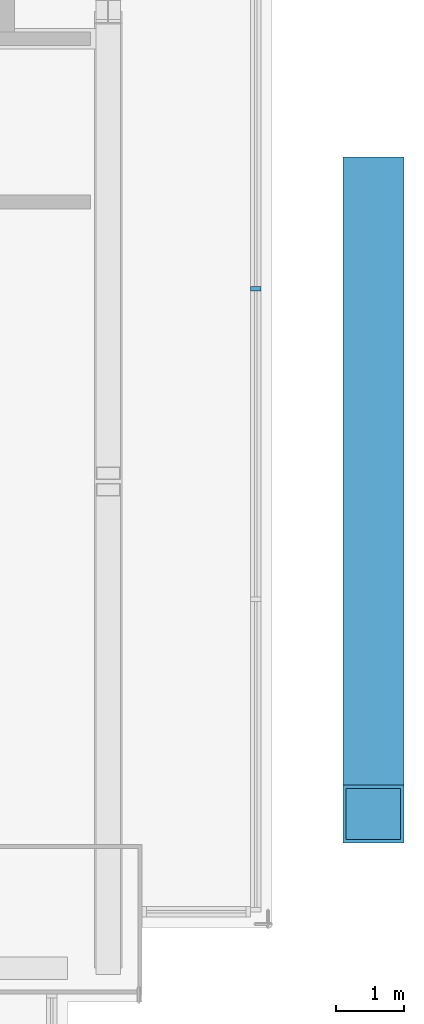
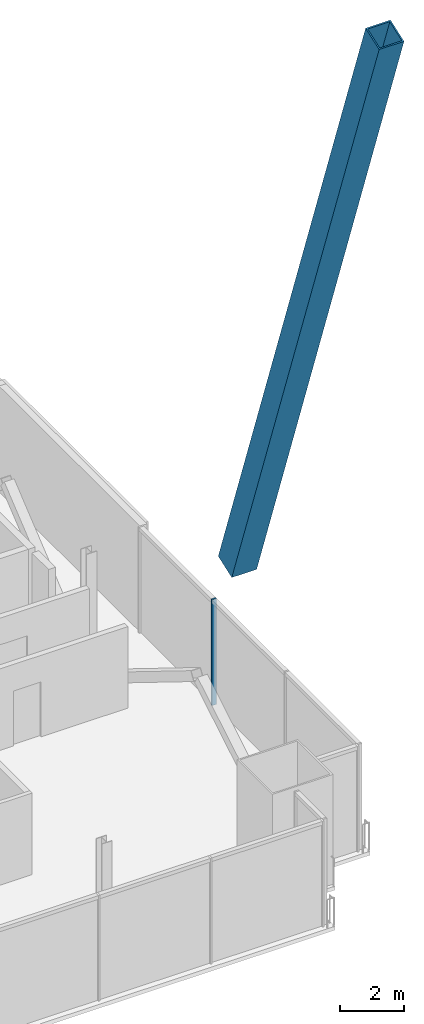
# One storey, part 14 of 23: 2 members, 1 element without a shape of its own.
"""IFC4 building model written with IfcOpenShell, lengths in metres."""

from ifc_helpers import new_model, si_unit, direction, frame, origin, origin_2d, place, context, subcontext, project, spatial, rectangle, hollow_rectangle, extrude, material, material_profile, profile_set, type_object, element, aggregate, save


model = new_model("IFC4")

# Units and contexts
model_context = context("Model", 3, precision=1e-05, world=origin(), true_north=direction((0.0, 1.0)))
body_context = subcontext(model_context, "Body", "Model", "MODEL_VIEW")
ifc_project = project(units=[si_unit("LENGTHUNIT", "METRE"), si_unit("AREAUNIT", "SQUARE_METRE"), si_unit("VOLUMEUNIT", "CUBIC_METRE"), si_unit("PLANEANGLEUNIT", "RADIAN"), si_unit("MASSUNIT", "GRAM", prefix="KILO")], contexts=[model_context])

# Site, building, storey
site_placement = place(None, origin())
site = spatial("IfcSite", under=ifc_project, at=site_placement, CompositionType="ELEMENT")
building_placement = place(site_placement, origin())
building = spatial("IfcBuilding", under=site, at=building_placement, Name="Bicima Exchange Tower", CompositionType="ELEMENT")
storey_placement = place(building_placement, frame((0.0, 0.0, 262.39990234375)))
storey = spatial("IfcBuildingStorey", under=building, at=storey_placement, Name="L59", CompositionType="ELEMENT", Elevation=262.39990234375)

# Curtain wall, member
ifc_material_1 = material(Name="Anodised bronze aluminium", Category="aluminium")
curtain_wall_type = type_object("IfcCurtainWallType", Name="End face glass wall", PredefinedType="NOTDEFINED", material=ifc_material_1)
curtain_wall_placement = place(storey_placement, origin())
curtain_wall = element("IfcCurtainWall", 1, at=curtain_wall_placement, inside=storey, type_object=curtain_wall_type, Name="End face glass wall L59 run 19", PredefinedType="NOTDEFINED")
ifc_material_profile_1 = material_profile(ifc_material_1, rectangle(XDim=0.159912109375, YDim=0.06005859375, at=origin_2d()))
ifc_profile_set_1 = profile_set([ifc_material_profile_1], Name="Anodised bronze aluminium")
member_type_1 = type_object("IfcMemberType", Name="End face glass wall mullion 60 x 160", PredefinedType="MULLION", material=ifc_profile_set_1)
member_1_placement = place(storey_placement, frame((35.77001953125, -16.676025390625, 0.0), z_axis=(0.0, 0.0, 1.0), x_axis=(-1.0, 0.0, 0.0)))
member_1 = element("IfcMember", 2, at=member_1_placement, type_object=member_type_1, Name="End face glass wall mullion 3", PredefinedType="MULLION", context=body_context, shape_type="SweptSolid", body=[
    extrude(rectangle(XDim=0.159912109375, YDim=0.06005859375, at=origin_2d()), origin(), (0.0, 0.0, 1.0), 4.050048828125),
])
aggregate(curtain_wall, [member_1])

# Member
ifc_material_2 = material(Name="Steel ASTM A572 Gr 50", Category="steel")
ifc_material_profile_2 = material_profile(ifc_material_2, hollow_rectangle(XDim=0.89990234375, YDim=0.89990234375, WallThickness=0.050048828125, at=origin_2d()))
ifc_profile_set_2 = profile_set([ifc_material_profile_2], Name="Steel ASTM A572 Gr 50")
member_type_2 = type_object("IfcMemberType", Name="Exo mega brace BOX 900x900x50", PredefinedType="BRACE", material=ifc_profile_set_2)
member_2_placement = place(storey_placement, frame((37.5, -15.164306640625, 3.900146484375), z_axis=(0.0, -0.33704910936, 0.941487067293), x_axis=(1.0, 0.0, 0.0)))
element("IfcMember", 3, at=member_2_placement, inside=storey, type_object=member_type_2, Name="Exo mega brace end", PredefinedType="BRACE", context=body_context, shape_type="SweptSolid", body=[
    extrude(hollow_rectangle(XDim=0.89990234375, YDim=0.89990234375, WallThickness=0.050048828125, at=origin_2d()), origin(), (0.0, 0.0, 1.0), 27.403564453125),
])

save(model, "model.ifc")
